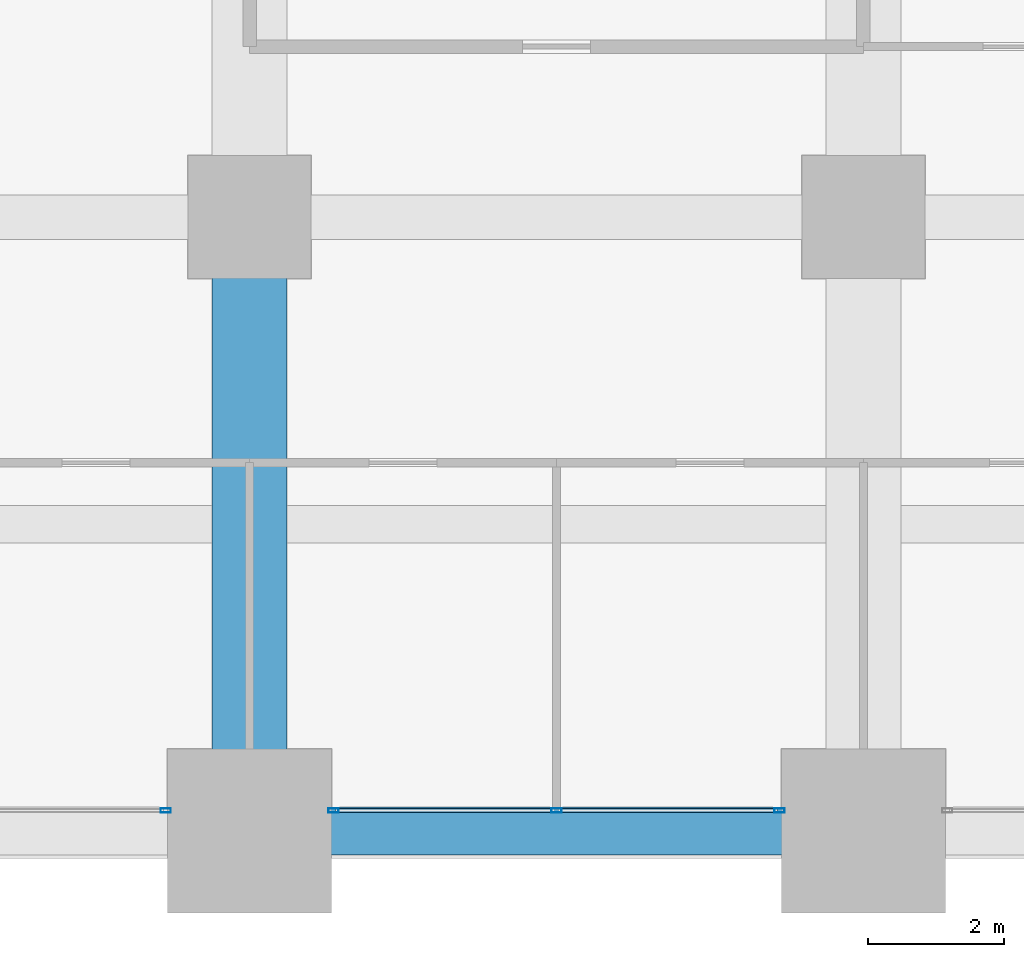
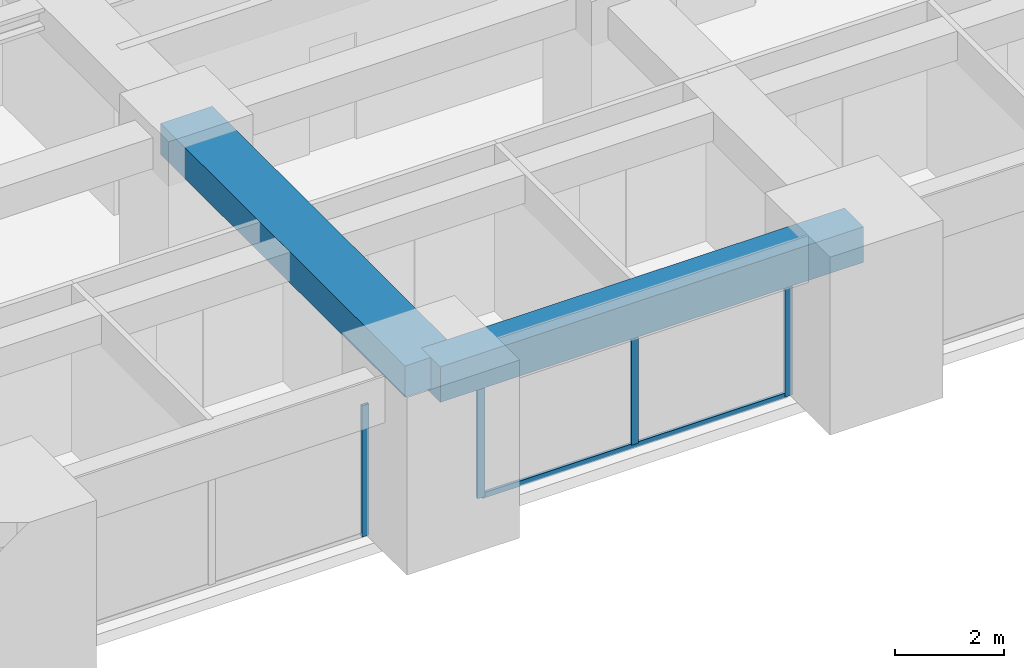
# One storey, part 13 of 40: 5 members, 2 beams, 2 elements without a shape of their own.
"""IFC4 building model written with IfcOpenShell, lengths in metres."""

from ifc_helpers import new_model, si_unit, direction, frame, origin, origin_2d, place, context, subcontext, project, spatial, rectangle, hollow_rectangle, extrude, material, material_profile, profile_set, type_object, element, aggregate, save


model = new_model("IFC4")

# Units and contexts
model_context = context("Model", 3, precision=1e-05, world=origin(), true_north=direction((0.0, 1.0)))
body_context = subcontext(model_context, "Body", "Model", "MODEL_VIEW")
ifc_project = project(units=[si_unit("LENGTHUNIT", "METRE"), si_unit("AREAUNIT", "SQUARE_METRE"), si_unit("VOLUMEUNIT", "CUBIC_METRE"), si_unit("PLANEANGLEUNIT", "RADIAN"), si_unit("MASSUNIT", "GRAM", prefix="KILO")], contexts=[model_context])

# Site, building, storey
site_placement = place(None, origin())
site = spatial("IfcSite", under=ifc_project, at=site_placement, CompositionType="ELEMENT")
building_placement = place(site_placement, origin())
building = spatial("IfcBuilding", under=site, at=building_placement, Name="Zorevar Civic Tower", CompositionType="ELEMENT")
storey_placement = place(building_placement, frame((0.0, 0.0, 133.0)))
storey = spatial("IfcBuildingStorey", under=building, at=storey_placement, Name="L32", CompositionType="ELEMENT", Elevation=133.0)

# Beam
ifc_material_1 = material(Name="Concrete C50/60", Category="concrete")
ifc_material_profile_1 = material_profile(ifc_material_1, rectangle(XDim=1.10009765625, YDim=0.699951171875, at=origin_2d()), Name="RC 1100x700")
ifc_profile_set_1 = profile_set([ifc_material_profile_1], Name="Concrete C50/60")
beam_type_1 = type_object("IfcBeamType", Name="Beam RC 1100x700", PredefinedType="BEAM", material=ifc_profile_set_1)
beam_1_placement = place(storey_placement, frame((36.0, 0.0, 3.39990234375), z_axis=(0.0, 1.0, 0.0), x_axis=(-1.0, 0.0, 0.0)))
element("IfcBeam", 1, at=beam_1_placement, inside=storey, type_object=beam_type_1, Name="Girder L33", PredefinedType="BEAM", context=body_context, shape_type="SweptSolid", body=[
    extrude(rectangle(XDim=1.10009765625, YDim=0.699951171875, at=origin_2d()), origin(), (0.0, 0.0, 1.0), 9.0),
])

# Curtain wall, member
ifc_material_2 = material(Name="Dark grey solar-control glass in black aluminium frame", Category="aluminium")
curtain_wall_type = type_object("IfcCurtainWallType", Name="Curtain wall CW3 mid zone", PredefinedType="NOTDEFINED", material=ifc_material_2)
curtain_wall_1_placement = place(storey_placement, origin())
curtain_wall_1 = element("IfcCurtainWall", 2, at=curtain_wall_1_placement, inside=storey, type_object=curtain_wall_type, Name="CW3 L32", PredefinedType="NOTDEFINED")
ifc_material_3 = material(Name="Aluminium, black anodised", Category="aluminium")
ifc_material_profile_2 = material_profile(ifc_material_3, hollow_rectangle(XDim=0.06005859375, YDim=0.14990234375, WallThickness=0.00390625, at=origin_2d()), Name="AL 150x60x4")
ifc_profile_set_2 = profile_set([ifc_material_profile_2], Name="Aluminium, black anodised")
member_type_1 = type_object("IfcMemberType", Name="CW3 mullion AL 150x60x4", PredefinedType="MULLION", material=ifc_profile_set_2)
member_1_placement = place(storey_placement, frame((34.77001953125, 0.300048828125, 0.0), z_axis=(0.0, 0.0, 1.0), x_axis=(0.0, 1.0, 0.0)))
member_1 = element("IfcMember", 3, at=member_1_placement, type_object=member_type_1, Name="CW3 mullion 3", PredefinedType="MULLION", context=body_context, shape_type="SweptSolid", body=[
    extrude(hollow_rectangle(XDim=0.06005859375, YDim=0.14990234375, WallThickness=0.00390625, at=origin_2d()), origin(), (0.0, 0.0, 1.0), 2.949951171875),
])
aggregate(curtain_wall_1, [member_1])

# Curtain wall, members
curtain_wall_2_placement = place(storey_placement, origin())
curtain_wall_2 = element("IfcCurtainWall", 4, at=curtain_wall_2_placement, inside=storey, type_object=curtain_wall_type, Name="CW3 L32", PredefinedType="NOTDEFINED")
member_2_placement = place(storey_placement, frame((37.22998046875, 0.300048828125, 0.0), z_axis=(0.0, 0.0, 1.0), x_axis=(0.0, 1.0, 0.0)))
member_2 = element("IfcMember", 5, at=member_2_placement, type_object=member_type_1, Name="CW3 mullion 1", PredefinedType="MULLION", context=body_context, shape_type="SweptSolid", body=[
    extrude(hollow_rectangle(XDim=0.06005859375, YDim=0.14990234375, WallThickness=0.00390625, at=origin_2d()), origin(), (0.0, 0.0, 1.0), 2.949951171875),
])
member_3_placement = place(storey_placement, frame((40.5, 0.300048828125, 0.06005859375), z_axis=(0.0, 0.0, 1.0), x_axis=(0.0, 1.0, 0.0)))
member_3 = element("IfcMember", 6, at=member_3_placement, type_object=member_type_1, Name="CW3 mullion 2", PredefinedType="MULLION", context=body_context, shape_type="SweptSolid", body=[
    extrude(hollow_rectangle(XDim=0.06005859375, YDim=0.14990234375, WallThickness=0.00390625, at=origin_2d()), origin(), (0.0, 0.0, 1.0), 2.889892578125),
])
member_4_placement = place(storey_placement, frame((43.77001953125, 0.300048828125, 0.0), z_axis=(0.0, 0.0, 1.0), x_axis=(0.0, 1.0, 0.0)))
member_4 = element("IfcMember", 7, at=member_4_placement, type_object=member_type_1, Name="CW3 mullion 3", PredefinedType="MULLION", context=body_context, shape_type="SweptSolid", body=[
    extrude(hollow_rectangle(XDim=0.06005859375, YDim=0.14990234375, WallThickness=0.00390625, at=origin_2d()), origin(), (0.0, 0.0, 1.0), 2.949951171875),
])
ifc_material_4 = material(Name="Aluminium, black anodised", Category="aluminium")
ifc_material_profile_3 = material_profile(ifc_material_4, hollow_rectangle(XDim=0.06005859375, YDim=0.1201171875, WallThickness=0.0029296875, at=origin_2d()), Name="AL 120x60x3")
ifc_profile_set_3 = profile_set([ifc_material_profile_3], Name="Aluminium, black anodised")
member_type_2 = type_object("IfcMemberType", Name="CW3 transom AL 120x60x3", PredefinedType="USERDEFINED", material=ifc_profile_set_3)
member_5_placement = place(storey_placement, frame((37.260009765625, 0.300048828125, 0.030029296875), z_axis=(1.0, 0.0, 0.0), x_axis=(0.0, 1.0, 0.0)))
member_5 = element("IfcMember", 8, at=member_5_placement, type_object=member_type_2, Name="CW3 sill transom", ObjectType="TRANSOM", PredefinedType="USERDEFINED", context=body_context, shape_type="SweptSolid", body=[
    extrude(hollow_rectangle(XDim=0.06005859375, YDim=0.1201171875, WallThickness=0.0029296875, at=origin_2d()), origin(), (0.0, 0.0, 1.0), 6.47998046875),
])
aggregate(curtain_wall_2, [member_2, member_3, member_4, member_5])

# Beam
ifc_material_5 = material(Name="Concrete C50/60", Category="concrete")
ifc_material_profile_4 = material_profile(ifc_material_5, rectangle(XDim=0.699951171875, YDim=0.800048828125, at=origin_2d()), Name="RC 700x800")
ifc_profile_set_4 = profile_set([ifc_material_profile_4], Name="Concrete C50/60")
beam_type_2 = type_object("IfcBeamType", Name="Edge beam RC 700x800", PredefinedType="SPANDREL", material=ifc_profile_set_4)
beam_2_placement = place(storey_placement, frame((36.0, 0.0, 3.35009765625), z_axis=(1.0, 0.0, 0.0), x_axis=(0.0, 1.0, 0.0)))
element("IfcBeam", 9, at=beam_2_placement, inside=storey, type_object=beam_type_2, Name="Edge beam L33", PredefinedType="SPANDREL", context=body_context, shape_type="SweptSolid", body=[
    extrude(rectangle(XDim=0.699951171875, YDim=0.800048828125, at=origin_2d()), origin(), (0.0, 0.0, 1.0), 9.0),
])

save(model, "model.ifc")
